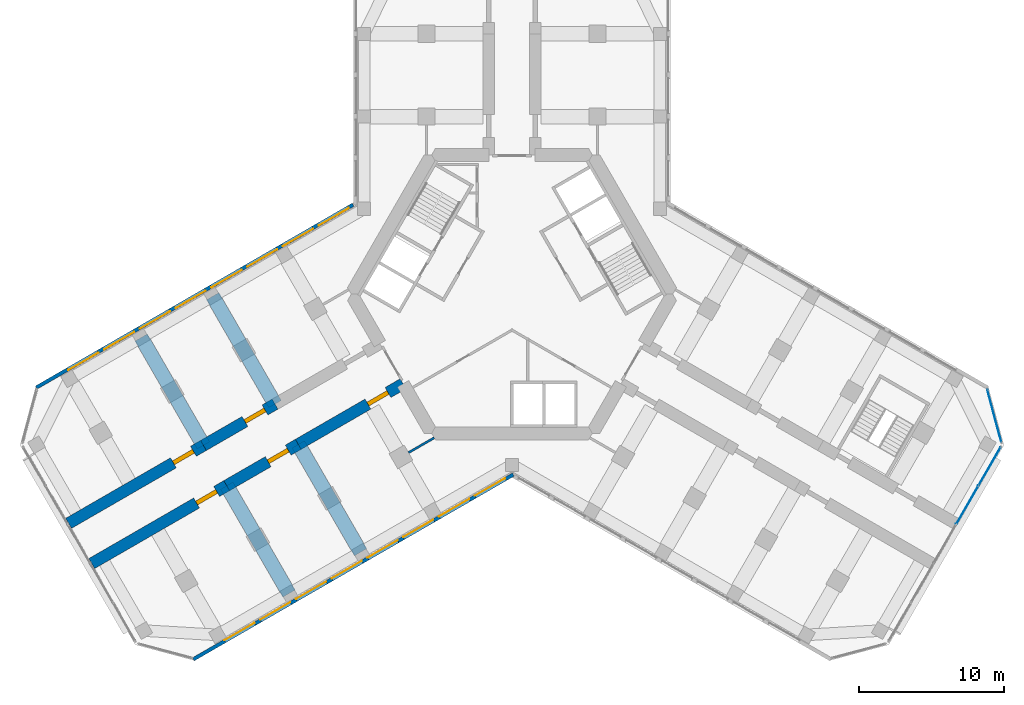
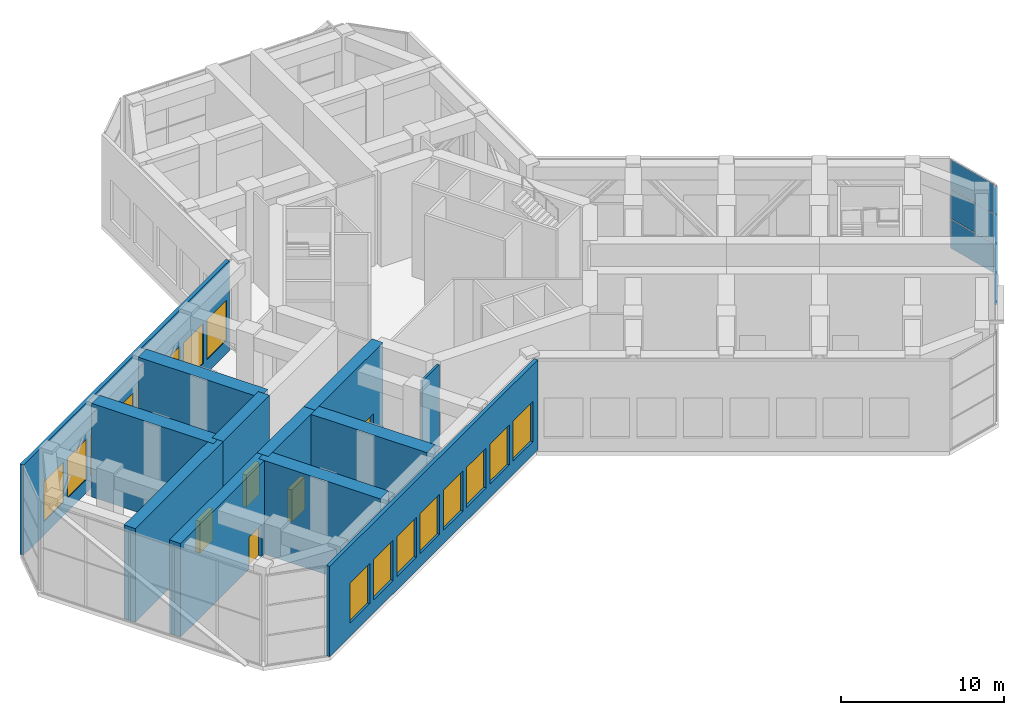
# One storey, part 10 of 15: 16 windows, 12 walls, 6 plates, 5 doors, 21 openings, 2 elements without a shape of their own.
"""IFC4 building model written with IfcOpenShell, lengths in metres."""

from ifc_helpers import new_model, si_unit, direction, frame, frame_2d, origin, origin_2d, place, context, subcontext, project, spatial, rectangle, extrude, material, layer, layer_set, type_object, element, fill, aggregate, save


model = new_model("IFC4")

# Units and contexts
model_context = context("Model", 3, precision=1e-05, world=origin(), true_north=direction((0.0, 1.0)))
body_context = subcontext(model_context, "Body", "Model", "MODEL_VIEW")
ifc_project = project(units=[si_unit("LENGTHUNIT", "METRE"), si_unit("AREAUNIT", "SQUARE_METRE"), si_unit("VOLUMEUNIT", "CUBIC_METRE"), si_unit("PLANEANGLEUNIT", "RADIAN"), si_unit("MASSUNIT", "GRAM", prefix="KILO")], contexts=[model_context])

# Site, building, storey
site_placement = place(None, origin())
site = spatial("IfcSite", under=ifc_project, at=site_placement, CompositionType="ELEMENT")
building_placement = place(site_placement, origin())
building = spatial("IfcBuilding", under=site, at=building_placement, Name="Kosmar Iwan School Tower", CompositionType="ELEMENT")
storey_placement = place(building_placement, frame((0.0, 0.0, 186.800048828125)))
storey = spatial("IfcBuildingStorey", under=building, at=storey_placement, Name="L47", CompositionType="ELEMENT", Elevation=186.800048828125)

# Curtain wall, plates
ifc_material_1 = material(Name="Black aluminium louvres and glass", Category="aluminium")
curtain_wall_type_1 = type_object("IfcCurtainWallType", Name="Plant floor louvred curtain wall", PredefinedType="USERDEFINED", material=ifc_material_1)
curtain_wall_1_placement = place(storey_placement, origin())
curtain_wall_1 = element("IfcCurtainWall", 1, at=curtain_wall_1_placement, inside=storey, type_object=curtain_wall_type_1, Name="Curtain wall L47-F03", ObjectType="LOUVRED CURTAIN WALL", PredefinedType="USERDEFINED")
ifc_material_2 = material(Name="Black anodised aluminium louvre blades", Category="aluminium")
ifc_layer_1 = layer(ifc_material_2, 0.050048828125)
ifc_layer_set_1 = layer_set([ifc_layer_1], Name="Aluminium louvre panel")
plate_type_1 = type_object("IfcPlateType", Name="Aluminium louvre panel", PredefinedType="SHEET", material=ifc_layer_set_1)
plate_1_placement = place(storey_placement, frame((31.40576171875, -14.553466796875, 3.40478515625), z_axis=(0.0, 0.0, 1.0), x_axis=(0.499999997325, 0.866025405329, 0.0)))
plate_1 = element("IfcPlate", 2, at=plate_1_placement, type_object=plate_type_1, Name="CW4 panel 4.2", PredefinedType="CURTAIN_PANEL", context=body_context, shape_type="SweptSolid", body=[
    extrude(rectangle(XDim=3.039306640625, YDim=0.050048828125, at=origin_2d()), origin(), (0.0, 0.0, 1.0), 3.284912109375),
])
plate_2_placement = place(storey_placement, frame((32.947998046875, -11.88232421875, 0.06005859375), z_axis=(0.0, 0.0, 1.0), x_axis=(0.499999997325, 0.866025405329, 0.0)))
plate_2 = element("IfcPlate", 3, at=plate_2_placement, type_object=plate_type_1, Name="CW4 panel 5.1", PredefinedType="CURTAIN_PANEL", context=body_context, shape_type="SweptSolid", body=[
    extrude(rectangle(XDim=3.00927734375, YDim=0.050048828125, at=origin_2d()), origin(), (0.0, 0.0, 1.0), 3.284912109375),
])
plate_3_placement = place(storey_placement, frame((32.947998046875, -11.88232421875, 3.40478515625), z_axis=(0.0, 0.0, 1.0), x_axis=(0.499999997325, 0.866025405329, 0.0)))
plate_3 = element("IfcPlate", 4, at=plate_3_placement, type_object=plate_type_1, Name="CW4 panel 5.2", PredefinedType="CURTAIN_PANEL", context=body_context, shape_type="SweptSolid", body=[
    extrude(rectangle(XDim=3.00927734375, YDim=0.050048828125, at=origin_2d()), origin(), (0.0, 0.0, 1.0), 3.284912109375),
])
aggregate(curtain_wall_1, [plate_1, plate_2, plate_3])

ifc_material_3 = material(Name="Dark glass in black aluminium frame", Category="aluminium")
curtain_wall_type_2 = type_object("IfcCurtainWallType", Name="Chamfer curtain wall dark glass", PredefinedType="USERDEFINED", material=ifc_material_3)
curtain_wall_2_placement = place(storey_placement, origin())
curtain_wall_2 = element("IfcCurtainWall", 5, at=curtain_wall_2_placement, inside=storey, type_object=curtain_wall_type_2, Name="Curtain wall L47-F04", ObjectType="FACETED CURTAIN WALL", PredefinedType="USERDEFINED")
ifc_material_4 = material(Name="Dark glass", Category="glass")
ifc_layer_2 = layer(ifc_material_4, 0.028076171875)
ifc_layer_set_2 = layer_set([ifc_layer_2], Name="Dark glass panel 28")
plate_type_2 = type_object("IfcPlateType", Name="Dark glass panel 28", PredefinedType="CURTAIN_PANEL", material=ifc_layer_set_2)
plate_4_placement = place(storey_placement, frame((33.269775390625, -8.3984375, 0.06005859375), z_axis=(0.0, 0.0, 1.0), x_axis=(-0.258818861462, 0.965925875495, 0.0)))
plate_4 = element("IfcPlate", 6, at=plate_4_placement, type_object=plate_type_2, Name="CW2 panel 1.1", PredefinedType="CURTAIN_PANEL", context=body_context, shape_type="SweptSolid", body=[
    extrude(rectangle(XDim=3.718994140625, YDim=0.028076171875, at=origin_2d()), origin(), (0.0, 0.0, 1.0), 2.159912109375),
])
plate_5_placement = place(storey_placement, frame((33.269775390625, -8.3984375, 2.280029296875), z_axis=(0.0, 0.0, 1.0), x_axis=(-0.258818861462, 0.965925875495, 0.0)))
plate_5 = element("IfcPlate", 7, at=plate_5_placement, type_object=plate_type_2, Name="CW2 panel 1.2", PredefinedType="CURTAIN_PANEL", context=body_context, shape_type="SweptSolid", body=[
    extrude(rectangle(XDim=3.718994140625, YDim=0.028076171875, at=origin_2d()), origin(), (0.0, 0.0, 1.0), 2.18994140625),
])
plate_6_placement = place(storey_placement, frame((33.269775390625, -8.3984375, 4.52978515625), z_axis=(0.0, 0.0, 1.0), x_axis=(-0.258818861462, 0.965925875495, 0.0)))
plate_6 = element("IfcPlate", 8, at=plate_6_placement, type_object=plate_type_2, Name="CW2 panel 1.3", PredefinedType="CURTAIN_PANEL", context=body_context, shape_type="SweptSolid", body=[
    extrude(rectangle(XDim=3.718994140625, YDim=0.028076171875, at=origin_2d()), origin(), (0.0, 0.0, 1.0), 2.159912109375),
])
aggregate(curtain_wall_2, [plate_4, plate_5, plate_6])

# Wall, opening, door
ifc_material_5 = material(Name="Concrete C50/60", Category="concrete")
ifc_layer_3 = layer(ifc_material_5, 0.800048828125)
ifc_layer_set_3 = layer_set([ifc_layer_3], Name="Corridor buttress wall 800")
wall_type_1 = type_object("IfcWallType", Name="Corridor buttress wall 800", PredefinedType="SHEAR", material=ifc_layer_set_3)
wall_1_placement = place(storey_placement, frame((-7.513916015625, -6.185546875, 0.0), z_axis=(0.0, 0.0, 1.0), x_axis=(-0.866019549707, -0.500010139422, 0.0)))
wall_1 = element("IfcWall", 9, at=wall_1_placement, inside=storey, type_object=wall_type_1, Name="Corridor wall BL", PredefinedType="SHEAR", context=body_context, shape_type="SweptSolid", body=[
    extrude(rectangle(XDim=8.349853515625, YDim=0.800048828125, at=frame_2d((4.1748046875, 0.0))), origin(), (0.0, 0.0, 1.0), 7.0),
])
opening_1_placement = place(wall_1_placement, frame((1.199951171875, 0.0, 0.0)))
opening_1 = element("IfcOpeningElement", 10, at=opening_1_placement, cuts=wall_1, Name="Opening D5", PredefinedType="OPENING", context=body_context, shape_type="SweptSolid", body=[
    extrude(rectangle(XDim=1.60009765625, YDim=2.39990234375, at=frame_2d((0.800048828125, 1.199951171875))), frame((0.0, 0.412109375, 0.0), z_axis=(0.0, -1.0, 0.0), x_axis=(1.0, 0.0, 0.0)), (0.0, 0.0, 1.0), 0.823974609375),
])
ifc_material_6 = material(Name="Steel fire door", Category="steel")
door_type = type_object("IfcDoorType", Name="Plant room door pair 1600x2400", OperationType="DOUBLE_DOOR_SINGLE_SWING", PredefinedType="DOOR", material=ifc_material_6)
door_1_placement = place(opening_1_placement, origin())
door_1 = element("IfcDoor", 11, at=door_1_placement, inside=storey, type_object=door_type, Name="Refuge area door L47-BL1", OperationType="DOUBLE_DOOR_SINGLE_SWING", OverallHeight=2.39990234375, OverallWidth=1.60009765625, PredefinedType="DOOR", context=body_context, shape_type="SweptSolid", body=[
    extrude(rectangle(XDim=1.60009765625, YDim=2.39990234375, at=frame_2d((0.800048828125, 1.199951171875))), frame((0.0, 0.14990234375, 0.0), z_axis=(0.0, -1.0, 0.0), x_axis=(1.0, 0.0, 0.0)), (0.0, 0.0, 1.0), 0.300048828125),
])
fill(opening_1, door_1)

wall_2_placement = place(storey_placement, frame((-14.7451171875, -10.360595703125, 0.0), z_axis=(0.0, 0.0, 1.0), x_axis=(-0.866015111908, -0.50001782563, 0.0)))
wall_2 = element("IfcWall", 12, at=wall_2_placement, inside=storey, type_object=wall_type_1, Name="Corridor wall BL bay 2", PredefinedType="SHEAR", context=body_context, shape_type="SweptSolid", body=[
    extrude(rectangle(XDim=5.699951171875, YDim=0.800048828125, at=frame_2d((2.85009765625, 0.0))), origin(), (0.0, 0.0, 1.0), 7.0),
])
opening_2_placement = place(wall_2_placement, frame((0.800048828125, 0.0, 0.0)))
opening_2 = element("IfcOpeningElement", 13, at=opening_2_placement, cuts=wall_2, Name="Opening D5", PredefinedType="OPENING", context=body_context, shape_type="SweptSolid", body=[
    extrude(rectangle(XDim=1.60009765625, YDim=2.39990234375, at=frame_2d((0.800048828125, 1.199951171875))), frame((0.0, 0.412109375, 0.0), z_axis=(0.0, -1.0, 0.0), x_axis=(1.0, 0.0, 0.0)), (0.0, 0.0, 1.0), 0.823974609375),
])
door_2_placement = place(opening_2_placement, origin())
door_2 = element("IfcDoor", 14, at=door_2_placement, inside=storey, type_object=door_type, Name="Air handling plant room door L47-BL2", OperationType="DOUBLE_DOOR_SINGLE_SWING", OverallHeight=2.39990234375, OverallWidth=1.60009765625, PredefinedType="DOOR", context=body_context, shape_type="SweptSolid", body=[
    extrude(rectangle(XDim=1.60009765625, YDim=2.39990234375, at=frame_2d((0.800048828125, 1.199951171875))), frame((0.0, 0.14990234375, 0.0), z_axis=(0.0, -1.0, 0.0), x_axis=(1.0, 0.0, 0.0)), (0.0, 0.0, 1.0), 0.300048828125),
])
fill(opening_2, door_2)

wall_3_placement = place(storey_placement, frame((-19.681396484375, -13.210693359375, 0.0), z_axis=(0.0, 0.0, 1.0), x_axis=(-0.866028186671, -0.499995179869, 0.0)))
wall_3 = element("IfcWall", 15, at=wall_3_placement, inside=storey, type_object=wall_type_1, Name="Corridor wall BL bay 3", PredefinedType="SHEAR", context=body_context, shape_type="SweptSolid", body=[
    extrude(rectangle(XDim=10.7451171875, YDim=0.800048828125, at=frame_2d((5.37255859375, 0.0))), origin(), (0.0, 0.0, 1.0), 7.0),
])
opening_3_placement = place(wall_3_placement, frame((0.800048828125, 0.0, 0.0)))
opening_3 = element("IfcOpeningElement", 16, at=opening_3_placement, cuts=wall_3, Name="Opening D5", PredefinedType="OPENING", context=body_context, shape_type="SweptSolid", body=[
    extrude(rectangle(XDim=1.60009765625, YDim=2.39990234375, at=frame_2d((0.800048828125, 1.199951171875))), frame((0.0, 0.412109375, 0.0), z_axis=(0.0, -1.0, 0.0), x_axis=(1.0, 0.0, 0.0)), (0.0, 0.0, 1.0), 0.823974609375),
])
door_3_placement = place(opening_3_placement, origin())
door_3 = element("IfcDoor", 17, at=door_3_placement, inside=storey, type_object=door_type, Name="Electrical switch room door L47-BL3", OperationType="DOUBLE_DOOR_SINGLE_SWING", OverallHeight=2.39990234375, OverallWidth=1.60009765625, PredefinedType="DOOR", context=body_context, shape_type="SweptSolid", body=[
    extrude(rectangle(XDim=1.60009765625, YDim=2.39990234375, at=frame_2d((0.800048828125, 1.199951171875))), frame((0.0, 0.14990234375, 0.0), z_axis=(0.0, -1.0, 0.0), x_axis=(1.0, 0.0, 0.0)), (0.0, 0.0, 1.0), 0.300048828125),
])
fill(opening_3, door_3)

wall_4_placement = place(storey_placement, frame((-16.34521484375, -7.58935546875, 0.0), z_axis=(0.0, 0.0, 1.0), x_axis=(-0.866015111908, -0.50001782563, 0.0)))
wall_4 = element("IfcWall", 18, at=wall_4_placement, inside=storey, type_object=wall_type_1, Name="Corridor wall BR bay 2", PredefinedType="SHEAR", context=body_context, shape_type="SweptSolid", body=[
    extrude(rectangle(XDim=5.699951171875, YDim=0.800048828125, at=frame_2d((2.85009765625, 0.0))), origin(), (0.0, 0.0, 1.0), 7.0),
])
opening_4_placement = place(wall_4_placement, frame((0.800048828125, 0.0, 0.0)))
opening_4 = element("IfcOpeningElement", 19, at=opening_4_placement, cuts=wall_4, Name="Opening D5", PredefinedType="OPENING", context=body_context, shape_type="SweptSolid", body=[
    extrude(rectangle(XDim=1.60009765625, YDim=2.39990234375, at=frame_2d((0.800048828125, 1.199951171875))), frame((0.0, 0.412109375, 0.0), z_axis=(0.0, -1.0, 0.0), x_axis=(1.0, 0.0, 0.0)), (0.0, 0.0, 1.0), 0.823974609375),
])
door_4_placement = place(opening_4_placement, origin())
door_4 = element("IfcDoor", 20, at=door_4_placement, inside=storey, type_object=door_type, Name="Air handling plant room door L47-BR2", OperationType="DOUBLE_DOOR_SINGLE_SWING", OverallHeight=2.39990234375, OverallWidth=1.60009765625, PredefinedType="DOOR", context=body_context, shape_type="SweptSolid", body=[
    extrude(rectangle(XDim=1.60009765625, YDim=2.39990234375, at=frame_2d((0.800048828125, 1.199951171875))), frame((0.0, 0.14990234375, 0.0), z_axis=(0.0, -1.0, 0.0), x_axis=(1.0, 0.0, 0.0)), (0.0, 0.0, 1.0), 0.300048828125),
])
fill(opening_4, door_4)

wall_5_placement = place(storey_placement, frame((-21.281494140625, -10.439453125, 0.0), z_axis=(0.0, 0.0, 1.0), x_axis=(-0.866032345022, -0.499987977232, 0.0)))
wall_5 = element("IfcWall", 21, at=wall_5_placement, inside=storey, type_object=wall_type_1, Name="Corridor wall BR bay 3", PredefinedType="SHEAR", context=body_context, shape_type="SweptSolid", body=[
    extrude(rectangle(XDim=10.744873046875, YDim=0.800048828125, at=frame_2d((5.37255859375, 0.0))), origin(), (0.0, 0.0, 1.0), 7.0),
])
opening_5_placement = place(wall_5_placement, frame((0.800048828125, 0.0, 0.0)))
opening_5 = element("IfcOpeningElement", 22, at=opening_5_placement, cuts=wall_5, Name="Opening D5", PredefinedType="OPENING", context=body_context, shape_type="SweptSolid", body=[
    extrude(rectangle(XDim=1.60009765625, YDim=2.39990234375, at=frame_2d((0.800048828125, 1.199951171875))), frame((0.0, 0.412109375, 0.0), z_axis=(0.0, -1.0, 0.0), x_axis=(1.0, 0.0, 0.0)), (0.0, 0.0, 1.0), 0.823974609375),
])
door_5_placement = place(opening_5_placement, origin())
door_5 = element("IfcDoor", 23, at=door_5_placement, inside=storey, type_object=door_type, Name="Electrical switch room door L47-BR3", OperationType="DOUBLE_DOOR_SINGLE_SWING", OverallHeight=2.39990234375, OverallWidth=1.60009765625, PredefinedType="DOOR", context=body_context, shape_type="SweptSolid", body=[
    extrude(rectangle(XDim=1.60009765625, YDim=2.39990234375, at=frame_2d((0.800048828125, 1.199951171875))), frame((0.0, 0.14990234375, 0.0), z_axis=(0.0, -1.0, 0.0), x_axis=(1.0, 0.0, 0.0)), (0.0, 0.0, 1.0), 0.300048828125),
])
fill(opening_5, door_5)

# Wall, openings, windows
ifc_material_7 = material(Name="Black aluminium rainscreen on insulated framing", Category="aluminium")
ifc_layer_4 = layer(ifc_material_7, 0.25)
ifc_layer_set_4 = layer_set([ifc_layer_4], Name="External wall rainscreen 250")
wall_type_2 = type_object("IfcWallType", Name="External wall rainscreen 250", PredefinedType="SOLIDWALL", material=ifc_layer_set_4)
wall_6_placement = place(storey_placement, frame((0.088134765625, -12.44873046875, 0.0), z_axis=(0.0, 0.0, 1.0), x_axis=(-0.866026390279, -0.499998291337, 0.0)))
wall_6 = element("IfcWall", 24, at=wall_6_placement, inside=storey, type_object=wall_type_2, Name="External wall BL L47", PredefinedType="SOLIDWALL", context=body_context, shape_type="SweptSolid", body=[
    extrude(rectangle(XDim=25.4873046875, YDim=0.25, at=frame_2d((12.74365234375, 0.0))), origin(), (0.0, 0.0, 1.0), 6.75),
])
opening_6_placement = place(wall_6_placement, frame((0.626953125, 0.0, 1.0)))
opening_6 = element("IfcOpeningElement", 25, at=opening_6_placement, cuts=wall_6, Name="Opening LV1", PredefinedType="OPENING", context=body_context, shape_type="SweptSolid", body=[
    extrude(rectangle(XDim=2.39990234375, YDim=3.0, at=frame_2d((1.199951171875, 1.5))), frame((0.0, 0.136962890625, 0.0), z_axis=(0.0, -1.0, 0.0), x_axis=(1.0, 0.0, 0.0)), (0.0, 0.0, 1.0), 0.27392578125),
])
opening_7_placement = place(wall_6_placement, frame((3.47705078125, 0.0, 1.0)))
opening_7 = element("IfcOpeningElement", 26, at=opening_7_placement, cuts=wall_6, Name="Opening LV1", PredefinedType="OPENING", context=body_context, shape_type="SweptSolid", body=[
    extrude(rectangle(XDim=2.39990234375, YDim=3.0, at=frame_2d((1.199951171875, 1.5))), frame((0.0, 0.136962890625, 0.0), z_axis=(0.0, -1.0, 0.0), x_axis=(1.0, 0.0, 0.0)), (0.0, 0.0, 1.0), 0.27392578125),
])
opening_8_placement = place(wall_6_placement, frame((6.326904296875, 0.0, 1.0)))
opening_8 = element("IfcOpeningElement", 27, at=opening_8_placement, cuts=wall_6, Name="Opening LV1", PredefinedType="OPENING", context=body_context, shape_type="SweptSolid", body=[
    extrude(rectangle(XDim=2.39990234375, YDim=3.0, at=frame_2d((1.199951171875, 1.5))), frame((0.0, 0.136962890625, 0.0), z_axis=(0.0, -1.0, 0.0), x_axis=(1.0, 0.0, 0.0)), (0.0, 0.0, 1.0), 0.27392578125),
])
opening_9_placement = place(wall_6_placement, frame((9.177001953125, 0.0, 1.0)))
opening_9 = element("IfcOpeningElement", 28, at=opening_9_placement, cuts=wall_6, Name="Opening LV1", PredefinedType="OPENING", context=body_context, shape_type="SweptSolid", body=[
    extrude(rectangle(XDim=2.39990234375, YDim=3.0, at=frame_2d((1.199951171875, 1.5))), frame((0.0, 0.136962890625, 0.0), z_axis=(0.0, -1.0, 0.0), x_axis=(1.0, 0.0, 0.0)), (0.0, 0.0, 1.0), 0.27392578125),
])
opening_10_placement = place(wall_6_placement, frame((12.027099609375, 0.0, 1.0)))
opening_10 = element("IfcOpeningElement", 29, at=opening_10_placement, cuts=wall_6, Name="Opening LV1", PredefinedType="OPENING", context=body_context, shape_type="SweptSolid", body=[
    extrude(rectangle(XDim=2.39990234375, YDim=3.0, at=frame_2d((1.199951171875, 1.5))), frame((0.0, 0.136962890625, 0.0), z_axis=(0.0, -1.0, 0.0), x_axis=(1.0, 0.0, 0.0)), (0.0, 0.0, 1.0), 0.27392578125),
])
opening_11_placement = place(wall_6_placement, frame((14.876953125, 0.0, 1.0)))
opening_11 = element("IfcOpeningElement", 30, at=opening_11_placement, cuts=wall_6, Name="Opening LV1", PredefinedType="OPENING", context=body_context, shape_type="SweptSolid", body=[
    extrude(rectangle(XDim=2.39990234375, YDim=3.0, at=frame_2d((1.199951171875, 1.5))), frame((0.0, 0.136962890625, 0.0), z_axis=(0.0, -1.0, 0.0), x_axis=(1.0, 0.0, 0.0)), (0.0, 0.0, 1.0), 0.27392578125),
])
opening_12_placement = place(wall_6_placement, frame((17.72705078125, 0.0, 1.0)))
opening_12 = element("IfcOpeningElement", 31, at=opening_12_placement, cuts=wall_6, Name="Opening LV1", PredefinedType="OPENING", context=body_context, shape_type="SweptSolid", body=[
    extrude(rectangle(XDim=2.39990234375, YDim=3.0, at=frame_2d((1.199951171875, 1.5))), frame((0.0, 0.136962890625, 0.0), z_axis=(0.0, -1.0, 0.0), x_axis=(1.0, 0.0, 0.0)), (0.0, 0.0, 1.0), 0.27392578125),
])
opening_13_placement = place(wall_6_placement, frame((20.576904296875, 0.0, 1.0)))
opening_13 = element("IfcOpeningElement", 32, at=opening_13_placement, cuts=wall_6, Name="Opening LV1", PredefinedType="OPENING", context=body_context, shape_type="SweptSolid", body=[
    extrude(rectangle(XDim=2.39990234375, YDim=3.0, at=frame_2d((1.199951171875, 1.5))), frame((0.0, 0.136962890625, 0.0), z_axis=(0.0, -1.0, 0.0), x_axis=(1.0, 0.0, 0.0)), (0.0, 0.0, 1.0), 0.27392578125),
])
ifc_material_8 = material(Name="Black aluminium louvre", Category="aluminium")
window_type = type_object("IfcWindowType", Name="Plant louvre 2400x3000", PartitioningType="SINGLE_PANEL", PredefinedType="USERDEFINED", material=ifc_material_8)
window_1_placement = place(opening_6_placement, origin())
window_1 = element("IfcWindow", 33, at=window_1_placement, inside=storey, type_object=window_type, Name="Window BL L47 -1", ObjectType="LOUVRE", OverallHeight=3.0, OverallWidth=2.39990234375, PartitioningType="SINGLE_PANEL", PredefinedType="USERDEFINED", context=body_context, shape_type="SweptSolid", body=[
    extrude(rectangle(XDim=2.39990234375, YDim=3.0, at=frame_2d((1.199951171875, 1.5))), frame((0.0, -0.050048828125, 0.0), z_axis=(0.0, -1.0, 0.0), x_axis=(1.0, 0.0, 0.0)), (0.0, 0.0, 1.0), 0.02001953125),
])
fill(opening_6, window_1)
window_2_placement = place(opening_7_placement, origin())
window_2 = element("IfcWindow", 34, at=window_2_placement, inside=storey, type_object=window_type, Name="Window BL L47 0", ObjectType="LOUVRE", OverallHeight=3.0, OverallWidth=2.39990234375, PartitioningType="SINGLE_PANEL", PredefinedType="USERDEFINED", context=body_context, shape_type="SweptSolid", body=[
    extrude(rectangle(XDim=2.39990234375, YDim=3.0, at=frame_2d((1.199951171875, 1.5))), frame((0.0, -0.050048828125, 0.0), z_axis=(0.0, -1.0, 0.0), x_axis=(1.0, 0.0, 0.0)), (0.0, 0.0, 1.0), 0.02001953125),
])
fill(opening_7, window_2)
window_3_placement = place(opening_8_placement, origin())
window_3 = element("IfcWindow", 35, at=window_3_placement, inside=storey, type_object=window_type, Name="Window BL L47 1", ObjectType="LOUVRE", OverallHeight=3.0, OverallWidth=2.39990234375, PartitioningType="SINGLE_PANEL", PredefinedType="USERDEFINED", context=body_context, shape_type="SweptSolid", body=[
    extrude(rectangle(XDim=2.39990234375, YDim=3.0, at=frame_2d((1.199951171875, 1.5))), frame((0.0, -0.050048828125, 0.0), z_axis=(0.0, -1.0, 0.0), x_axis=(1.0, 0.0, 0.0)), (0.0, 0.0, 1.0), 0.02001953125),
])
fill(opening_8, window_3)
window_4_placement = place(opening_9_placement, origin())
window_4 = element("IfcWindow", 36, at=window_4_placement, inside=storey, type_object=window_type, Name="Window BL L47 2", ObjectType="LOUVRE", OverallHeight=3.0, OverallWidth=2.39990234375, PartitioningType="SINGLE_PANEL", PredefinedType="USERDEFINED", context=body_context, shape_type="SweptSolid", body=[
    extrude(rectangle(XDim=2.39990234375, YDim=3.0, at=frame_2d((1.199951171875, 1.5))), frame((0.0, -0.050048828125, 0.0), z_axis=(0.0, -1.0, 0.0), x_axis=(1.0, 0.0, 0.0)), (0.0, 0.0, 1.0), 0.02001953125),
])
fill(opening_9, window_4)
window_5_placement = place(opening_10_placement, origin())
window_5 = element("IfcWindow", 37, at=window_5_placement, inside=storey, type_object=window_type, Name="Window BL L47 3", ObjectType="LOUVRE", OverallHeight=3.0, OverallWidth=2.39990234375, PartitioningType="SINGLE_PANEL", PredefinedType="USERDEFINED", context=body_context, shape_type="SweptSolid", body=[
    extrude(rectangle(XDim=2.39990234375, YDim=3.0, at=frame_2d((1.199951171875, 1.5))), frame((0.0, -0.050048828125, 0.0), z_axis=(0.0, -1.0, 0.0), x_axis=(1.0, 0.0, 0.0)), (0.0, 0.0, 1.0), 0.02001953125),
])
fill(opening_10, window_5)
window_6_placement = place(opening_11_placement, origin())
window_6 = element("IfcWindow", 38, at=window_6_placement, inside=storey, type_object=window_type, Name="Window BL L47 4", ObjectType="LOUVRE", OverallHeight=3.0, OverallWidth=2.39990234375, PartitioningType="SINGLE_PANEL", PredefinedType="USERDEFINED", context=body_context, shape_type="SweptSolid", body=[
    extrude(rectangle(XDim=2.39990234375, YDim=3.0, at=frame_2d((1.199951171875, 1.5))), frame((0.0, -0.050048828125, 0.0), z_axis=(0.0, -1.0, 0.0), x_axis=(1.0, 0.0, 0.0)), (0.0, 0.0, 1.0), 0.02001953125),
])
fill(opening_11, window_6)
window_7_placement = place(opening_12_placement, origin())
window_7 = element("IfcWindow", 39, at=window_7_placement, inside=storey, type_object=window_type, Name="Window BL L47 5", ObjectType="LOUVRE", OverallHeight=3.0, OverallWidth=2.39990234375, PartitioningType="SINGLE_PANEL", PredefinedType="USERDEFINED", context=body_context, shape_type="SweptSolid", body=[
    extrude(rectangle(XDim=2.39990234375, YDim=3.0, at=frame_2d((1.199951171875, 1.5))), frame((0.0, -0.050048828125, 0.0), z_axis=(0.0, -1.0, 0.0), x_axis=(1.0, 0.0, 0.0)), (0.0, 0.0, 1.0), 0.02001953125),
])
fill(opening_12, window_7)
window_8_placement = place(opening_13_placement, origin())
window_8 = element("IfcWindow", 40, at=window_8_placement, inside=storey, type_object=window_type, Name="Window BL L47 6", ObjectType="LOUVRE", OverallHeight=3.0, OverallWidth=2.39990234375, PartitioningType="SINGLE_PANEL", PredefinedType="USERDEFINED", context=body_context, shape_type="SweptSolid", body=[
    extrude(rectangle(XDim=2.39990234375, YDim=3.0, at=frame_2d((1.199951171875, 1.5))), frame((0.0, -0.050048828125, 0.0), z_axis=(0.0, -1.0, 0.0), x_axis=(1.0, 0.0, 0.0)), (0.0, 0.0, 1.0), 0.02001953125),
])
fill(opening_13, window_8)

wall_7_placement = place(storey_placement, frame((-10.962890625, 6.170166015625, 0.0), z_axis=(0.0, 0.0, 1.0), x_axis=(-0.86602796634, -0.499995561497, 0.0)))
wall_7 = element("IfcWall", 41, at=wall_7_placement, inside=storey, type_object=wall_type_2, Name="External wall BR L47", PredefinedType="SOLIDWALL", context=body_context, shape_type="SweptSolid", body=[
    extrude(rectangle(XDim=25.226318359375, YDim=0.25, at=frame_2d((12.61328125, 0.0))), origin(), (0.0, 0.0, 1.0), 6.75),
])
opening_14_placement = place(wall_7_placement, frame((0.365966796875, 0.0, 1.0)))
opening_14 = element("IfcOpeningElement", 42, at=opening_14_placement, cuts=wall_7, Name="Opening LV1", PredefinedType="OPENING", context=body_context, shape_type="SweptSolid", body=[
    extrude(rectangle(XDim=2.39990234375, YDim=3.0, at=frame_2d((1.199951171875, 1.5))), frame((0.0, 0.136962890625, 0.0), z_axis=(0.0, -1.0, 0.0), x_axis=(1.0, 0.0, 0.0)), (0.0, 0.0, 1.0), 0.27392578125),
])
opening_15_placement = place(wall_7_placement, frame((3.216064453125, 0.0, 1.0)))
opening_15 = element("IfcOpeningElement", 43, at=opening_15_placement, cuts=wall_7, Name="Opening LV1", PredefinedType="OPENING", context=body_context, shape_type="SweptSolid", body=[
    extrude(rectangle(XDim=2.39990234375, YDim=3.0, at=frame_2d((1.199951171875, 1.5))), frame((0.0, 0.136962890625, 0.0), z_axis=(0.0, -1.0, 0.0), x_axis=(1.0, 0.0, 0.0)), (0.0, 0.0, 1.0), 0.27392578125),
])
opening_16_placement = place(wall_7_placement, frame((6.06591796875, 0.0, 1.0)))
opening_16 = element("IfcOpeningElement", 44, at=opening_16_placement, cuts=wall_7, Name="Opening LV1", PredefinedType="OPENING", context=body_context, shape_type="SweptSolid", body=[
    extrude(rectangle(XDim=2.39990234375, YDim=3.0, at=frame_2d((1.199951171875, 1.5))), frame((0.0, 0.136962890625, 0.0), z_axis=(0.0, -1.0, 0.0), x_axis=(1.0, 0.0, 0.0)), (0.0, 0.0, 1.0), 0.27392578125),
])
opening_17_placement = place(wall_7_placement, frame((8.916015625, 0.0, 1.0)))
opening_17 = element("IfcOpeningElement", 45, at=opening_17_placement, cuts=wall_7, Name="Opening LV1", PredefinedType="OPENING", context=body_context, shape_type="SweptSolid", body=[
    extrude(rectangle(XDim=2.39990234375, YDim=3.0, at=frame_2d((1.199951171875, 1.5))), frame((0.0, 0.136962890625, 0.0), z_axis=(0.0, -1.0, 0.0), x_axis=(1.0, 0.0, 0.0)), (0.0, 0.0, 1.0), 0.27392578125),
])
opening_18_placement = place(wall_7_placement, frame((11.76611328125, 0.0, 1.0)))
opening_18 = element("IfcOpeningElement", 46, at=opening_18_placement, cuts=wall_7, Name="Opening LV1", PredefinedType="OPENING", context=body_context, shape_type="SweptSolid", body=[
    extrude(rectangle(XDim=2.39990234375, YDim=3.0, at=frame_2d((1.199951171875, 1.5))), frame((0.0, 0.136962890625, 0.0), z_axis=(0.0, -1.0, 0.0), x_axis=(1.0, 0.0, 0.0)), (0.0, 0.0, 1.0), 0.27392578125),
])
opening_19_placement = place(wall_7_placement, frame((14.615966796875, 0.0, 1.0)))
opening_19 = element("IfcOpeningElement", 47, at=opening_19_placement, cuts=wall_7, Name="Opening LV1", PredefinedType="OPENING", context=body_context, shape_type="SweptSolid", body=[
    extrude(rectangle(XDim=2.39990234375, YDim=3.0, at=frame_2d((1.199951171875, 1.5))), frame((0.0, 0.136962890625, 0.0), z_axis=(0.0, -1.0, 0.0), x_axis=(1.0, 0.0, 0.0)), (0.0, 0.0, 1.0), 0.27392578125),
])
opening_20_placement = place(wall_7_placement, frame((17.466064453125, 0.0, 1.0)))
opening_20 = element("IfcOpeningElement", 48, at=opening_20_placement, cuts=wall_7, Name="Opening LV1", PredefinedType="OPENING", context=body_context, shape_type="SweptSolid", body=[
    extrude(rectangle(XDim=2.39990234375, YDim=3.0, at=frame_2d((1.199951171875, 1.5))), frame((0.0, 0.136962890625, 0.0), z_axis=(0.0, -1.0, 0.0), x_axis=(1.0, 0.0, 0.0)), (0.0, 0.0, 1.0), 0.27392578125),
])
opening_21_placement = place(wall_7_placement, frame((20.31591796875, 0.0, 1.0)))
opening_21 = element("IfcOpeningElement", 49, at=opening_21_placement, cuts=wall_7, Name="Opening LV1", PredefinedType="OPENING", context=body_context, shape_type="SweptSolid", body=[
    extrude(rectangle(XDim=2.39990234375, YDim=3.0, at=frame_2d((1.199951171875, 1.5))), frame((0.0, 0.136962890625, 0.0), z_axis=(0.0, -1.0, 0.0), x_axis=(1.0, 0.0, 0.0)), (0.0, 0.0, 1.0), 0.27392578125),
])
window_9_placement = place(opening_14_placement, origin())
window_9 = element("IfcWindow", 50, at=window_9_placement, inside=storey, type_object=window_type, Name="Window BR L47 -1", ObjectType="LOUVRE", OverallHeight=3.0, OverallWidth=2.39990234375, PartitioningType="SINGLE_PANEL", PredefinedType="USERDEFINED", context=body_context, shape_type="SweptSolid", body=[
    extrude(rectangle(XDim=2.39990234375, YDim=3.0, at=frame_2d((1.199951171875, 1.5))), frame((0.0, 0.070068359375, 0.0), z_axis=(0.0, -1.0, 0.0), x_axis=(1.0, 0.0, 0.0)), (0.0, 0.0, 1.0), 0.02001953125),
])
fill(opening_14, window_9)
window_10_placement = place(opening_15_placement, origin())
window_10 = element("IfcWindow", 51, at=window_10_placement, inside=storey, type_object=window_type, Name="Window BR L47 0", ObjectType="LOUVRE", OverallHeight=3.0, OverallWidth=2.39990234375, PartitioningType="SINGLE_PANEL", PredefinedType="USERDEFINED", context=body_context, shape_type="SweptSolid", body=[
    extrude(rectangle(XDim=2.39990234375, YDim=3.0, at=frame_2d((1.199951171875, 1.5))), frame((0.0, 0.070068359375, 0.0), z_axis=(0.0, -1.0, 0.0), x_axis=(1.0, 0.0, 0.0)), (0.0, 0.0, 1.0), 0.02001953125),
])
fill(opening_15, window_10)
window_11_placement = place(opening_16_placement, origin())
window_11 = element("IfcWindow", 52, at=window_11_placement, inside=storey, type_object=window_type, Name="Window BR L47 1", ObjectType="LOUVRE", OverallHeight=3.0, OverallWidth=2.39990234375, PartitioningType="SINGLE_PANEL", PredefinedType="USERDEFINED", context=body_context, shape_type="SweptSolid", body=[
    extrude(rectangle(XDim=2.39990234375, YDim=3.0, at=frame_2d((1.199951171875, 1.5))), frame((0.0, 0.070068359375, 0.0), z_axis=(0.0, -1.0, 0.0), x_axis=(1.0, 0.0, 0.0)), (0.0, 0.0, 1.0), 0.02001953125),
])
fill(opening_16, window_11)
window_12_placement = place(opening_17_placement, origin())
window_12 = element("IfcWindow", 53, at=window_12_placement, inside=storey, type_object=window_type, Name="Window BR L47 2", ObjectType="LOUVRE", OverallHeight=3.0, OverallWidth=2.39990234375, PartitioningType="SINGLE_PANEL", PredefinedType="USERDEFINED", context=body_context, shape_type="SweptSolid", body=[
    extrude(rectangle(XDim=2.39990234375, YDim=3.0, at=frame_2d((1.199951171875, 1.5))), frame((0.0, 0.070068359375, 0.0), z_axis=(0.0, -1.0, 0.0), x_axis=(1.0, 0.0, 0.0)), (0.0, 0.0, 1.0), 0.02001953125),
])
fill(opening_17, window_12)
window_13_placement = place(opening_18_placement, origin())
window_13 = element("IfcWindow", 54, at=window_13_placement, inside=storey, type_object=window_type, Name="Window BR L47 3", ObjectType="LOUVRE", OverallHeight=3.0, OverallWidth=2.39990234375, PartitioningType="SINGLE_PANEL", PredefinedType="USERDEFINED", context=body_context, shape_type="SweptSolid", body=[
    extrude(rectangle(XDim=2.39990234375, YDim=3.0, at=frame_2d((1.199951171875, 1.5))), frame((0.0, 0.070068359375, 0.0), z_axis=(0.0, -1.0, 0.0), x_axis=(1.0, 0.0, 0.0)), (0.0, 0.0, 1.0), 0.02001953125),
])
fill(opening_18, window_13)
window_14_placement = place(opening_19_placement, origin())
window_14 = element("IfcWindow", 55, at=window_14_placement, inside=storey, type_object=window_type, Name="Window BR L47 4", ObjectType="LOUVRE", OverallHeight=3.0, OverallWidth=2.39990234375, PartitioningType="SINGLE_PANEL", PredefinedType="USERDEFINED", context=body_context, shape_type="SweptSolid", body=[
    extrude(rectangle(XDim=2.39990234375, YDim=3.0, at=frame_2d((1.199951171875, 1.5))), frame((0.0, 0.070068359375, 0.0), z_axis=(0.0, -1.0, 0.0), x_axis=(1.0, 0.0, 0.0)), (0.0, 0.0, 1.0), 0.02001953125),
])
fill(opening_19, window_14)
window_15_placement = place(opening_20_placement, origin())
window_15 = element("IfcWindow", 56, at=window_15_placement, inside=storey, type_object=window_type, Name="Window BR L47 5", ObjectType="LOUVRE", OverallHeight=3.0, OverallWidth=2.39990234375, PartitioningType="SINGLE_PANEL", PredefinedType="USERDEFINED", context=body_context, shape_type="SweptSolid", body=[
    extrude(rectangle(XDim=2.39990234375, YDim=3.0, at=frame_2d((1.199951171875, 1.5))), frame((0.0, 0.070068359375, 0.0), z_axis=(0.0, -1.0, 0.0), x_axis=(1.0, 0.0, 0.0)), (0.0, 0.0, 1.0), 0.02001953125),
])
fill(opening_20, window_15)
window_16_placement = place(opening_21_placement, origin())
window_16 = element("IfcWindow", 57, at=window_16_placement, inside=storey, type_object=window_type, Name="Window BR L47 6", ObjectType="LOUVRE", OverallHeight=3.0, OverallWidth=2.39990234375, PartitioningType="SINGLE_PANEL", PredefinedType="USERDEFINED", context=body_context, shape_type="SweptSolid", body=[
    extrude(rectangle(XDim=2.39990234375, YDim=3.0, at=frame_2d((1.199951171875, 1.5))), frame((0.0, 0.070068359375, 0.0), z_axis=(0.0, -1.0, 0.0), x_axis=(1.0, 0.0, 0.0)), (0.0, 0.0, 1.0), 0.02001953125),
])
fill(opening_21, window_16)

# Walls
ifc_material_9 = material(Name="Concrete C50/60", Category="concrete")
ifc_layer_5 = layer(ifc_material_9, 1.0)
ifc_layer_set_5 = layer_set([ifc_layer_5], Name="Outrigger wall 1000")
wall_type_3 = type_object("IfcWallType", Name="Outrigger wall 1000", PredefinedType="SHEAR", material=ifc_layer_set_5)
for number, where, z_axis, x_axis, name in (
    (58, (-14.7451171875, -10.360595703125, 0.0), (0.0, 0.0, 1.0), (0.500007509209, -0.866021068297, 0.0), "Outrigger wall BL"),
    (59, (-19.681396484375, -13.210693359375, 0.0), (0.0, 0.0, 1.0), (0.499986217557, -0.866033360935, 0.0), "Outrigger wall BL"),
    (60, (-16.34521484375, -7.58935546875, 0.0), (0.0, 0.0, 1.0), (-0.500007509209, 0.866021068297, 0.0), "Outrigger wall BR"),
):
    element("IfcWall", number, at=place(storey_placement, frame(where, z_axis=z_axis, x_axis=x_axis)), inside=storey, type_object=wall_type_3, Name=name, PredefinedType="SHEAR", context=body_context, shape_type="SweptSolid", body=[
        extrude(rectangle(XDim=8.599853515625, YDim=1.0, at=frame_2d((4.2998046875, 0.0))), origin(), (0.0, 0.0, 1.0), 7.0),
    ])
wall_8_placement = place(storey_placement, frame((-21.281494140625, -10.439453125, 0.0), z_axis=(0.0, 0.0, 1.0), x_axis=(-0.499995216735, 0.866028165386, 0.0)))
element("IfcWall", 61, at=wall_8_placement, inside=storey, type_object=wall_type_3, Name="Outrigger wall BR", PredefinedType="SHEAR", context=body_context, shape_type="SweptSolid", body=[
    extrude(rectangle(XDim=8.60009765625, YDim=1.0, at=frame_2d((4.300048828125, 0.0))), origin(), (0.0, 0.0, 1.0), 7.0),
])
ifc_material_10 = material(Name="Gypsum board on steel studs", Category="steel")
ifc_layer_6 = layer(ifc_material_10, 0.14990234375)
ifc_layer_set_6 = layer_set([ifc_layer_6], Name="School partition 150")
wall_type_4 = type_object("IfcWallType", Name="School partition 150", PredefinedType="PARTITIONING", material=ifc_layer_set_6)
wall_9_placement = place(storey_placement, frame((-5.36376953125, -9.909423828125, 0.0), z_axis=(0.0, 0.0, 1.0), x_axis=(-0.865999163574, -0.500045446624, 0.0)))
element("IfcWall", 62, at=wall_9_placement, inside=storey, type_object=wall_type_4, Name="Partition L47-BL-NB", PredefinedType="PARTITIONING", context=body_context, shape_type="SweptSolid", body=[
    extrude(rectangle(XDim=2.050048828125, YDim=0.14990234375, at=frame_2d((1.02490234375, 0.0))), origin(), (0.0, 0.0, 1.0), 6.75),
])

save(model, "model.ifc")
